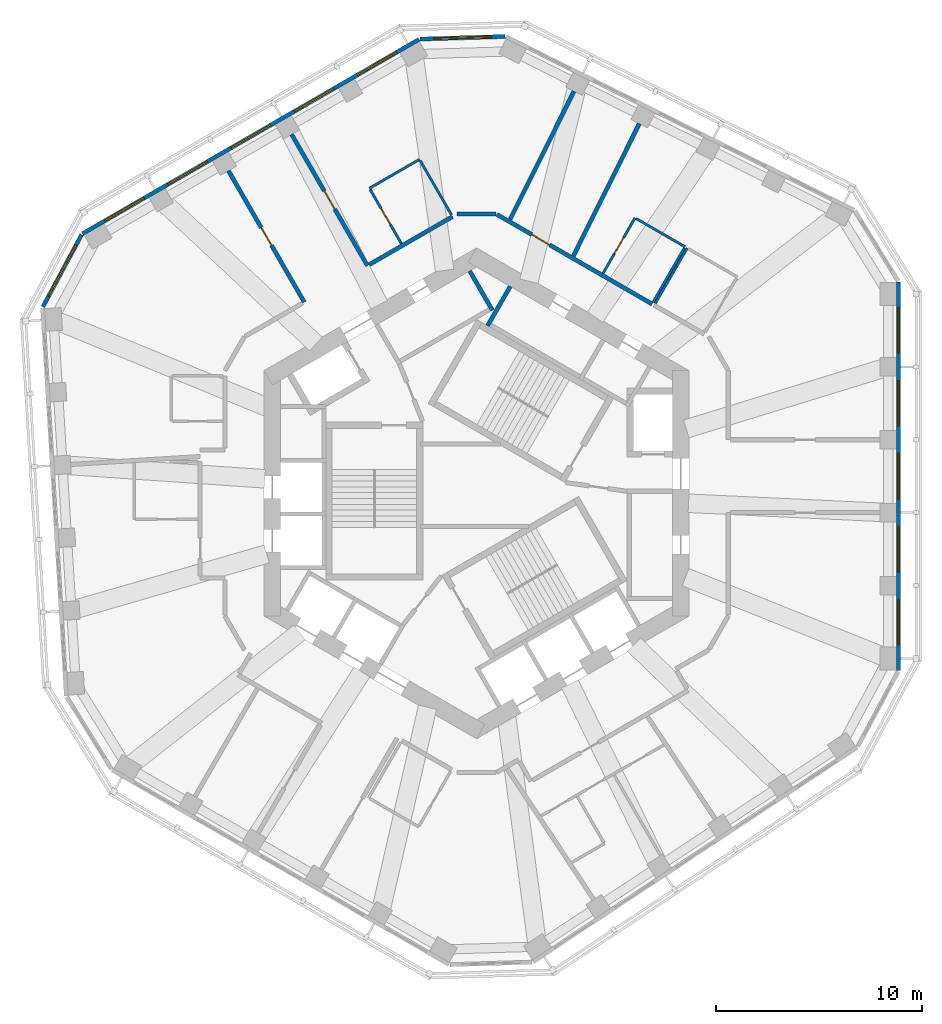
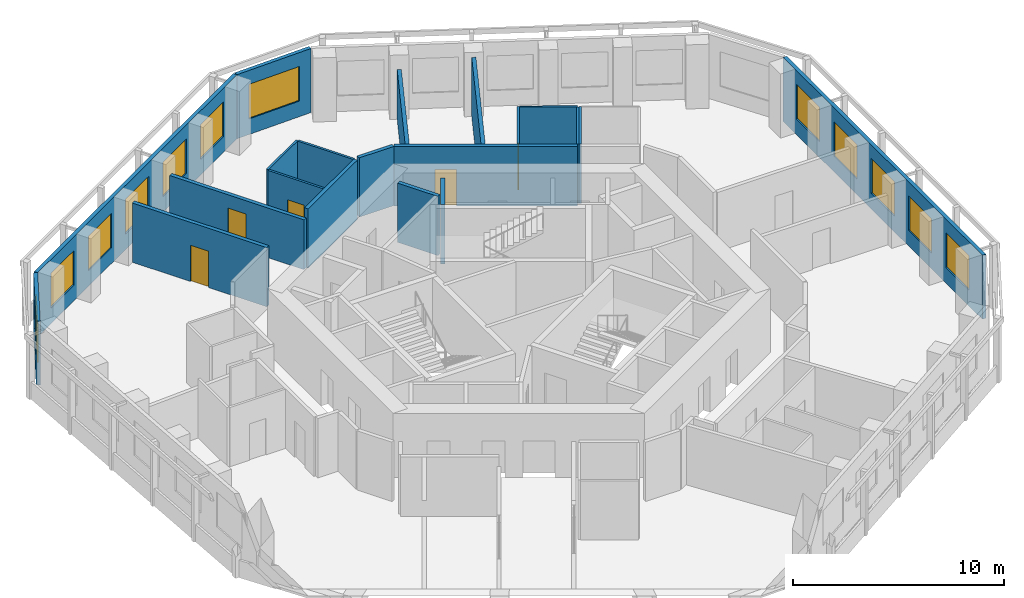
# One storey, part 7 of 11: 20 walls, 12 windows, 5 doors, 17 openings.
"""IFC4 building model written with IfcOpenShell, lengths in metres."""

from ifc_helpers import new_model, si_unit, direction, frame, frame_2d, origin, place, context, subcontext, project, spatial, rectangle, extrude, material, layer, layer_set, type_object, element, fill, save


model = new_model("IFC4")

# Units and contexts
model_context = context("Model", 3, precision=1e-05, world=origin(), true_north=direction((0.0, 1.0)))
body_context = subcontext(model_context, "Body", "Model", "MODEL_VIEW")
ifc_project = project(units=[si_unit("LENGTHUNIT", "METRE"), si_unit("AREAUNIT", "SQUARE_METRE"), si_unit("VOLUMEUNIT", "CUBIC_METRE"), si_unit("PLANEANGLEUNIT", "RADIAN"), si_unit("MASSUNIT", "GRAM", prefix="KILO")], contexts=[model_context])

# Site, building, storey
site_placement = place(None, origin())
site = spatial("IfcSite", under=ifc_project, at=site_placement, CompositionType="ELEMENT")
building_placement = place(site_placement, origin())
building = spatial("IfcBuilding", under=site, at=building_placement, Name="Vanh Sen Convention Tower", CompositionType="ELEMENT")
storey_placement = place(building_placement, frame((0.0, 0.0, 232.800048828125)))
storey = spatial("IfcBuildingStorey", under=building, at=storey_placement, Name="L57", CompositionType="ELEMENT", Elevation=232.800048828125)

# Wall
ifc_material_1 = material(Name="Moisture-resistant gypsum board on steel studs", Category="steel")
ifc_layer_1 = layer(ifc_material_1, 0.1201171875)
ifc_layer_set_1 = layer_set([ifc_layer_1], Name="Moisture-resistant gypsum board on steel studs")
wall_type_1 = type_object("IfcWallType", Name="Bathroom partition 120", PredefinedType="PARTITIONING", material=ifc_layer_set_1)
wall_1_placement = place(storey_placement, frame((-5.19140625, 14.78515625, 0.0), z_axis=(0.0, 0.0, 1.0), x_axis=(0.866034573852, 0.49998411664, 0.0)))
element("IfcWall", 1, at=wall_1_placement, inside=storey, type_object=wall_type_1, Name="Bathroom partition 120", PredefinedType="PARTITIONING", context=body_context, shape_type="SweptSolid", body=[
    extrude(rectangle(XDim=2.7998046875, YDim=0.1201171875, at=frame_2d((1.39990234375, 0.0))), origin(), (0.0, 0.0, 1.0), 3.419921875),
])

# Wall, opening, door
wall_2_placement = place(storey_placement, frame((-3.641357421875, 12.1005859375, 0.0), z_axis=(0.0, 0.0, 1.0), x_axis=(-0.500026023896, 0.86601037836, 0.0)))
wall_2 = element("IfcWall", 2, at=wall_2_placement, inside=storey, type_object=wall_type_1, Name="Bathroom partition 120", PredefinedType="PARTITIONING", context=body_context, shape_type="SweptSolid", body=[
    extrude(rectangle(XDim=3.039794921875, YDim=0.1201171875, at=frame_2d((1.52001953125, 0.0))), origin(), (0.0, 0.0, 1.0), 3.419921875),
])
opening_1_placement = place(wall_2_placement, frame((1.06982421875, 0.0, 0.0)))
opening_1 = element("IfcOpeningElement", 3, at=opening_1_placement, cuts=wall_2, Name="Opening D56106", PredefinedType="OPENING", context=body_context, shape_type="SweptSolid", body=[
    extrude(rectangle(XDim=0.89990234375, YDim=2.10009765625, at=frame_2d((0.449951171875, 1.050048828125))), frame((0.0, 0.070068359375, 0.0), z_axis=(0.0, -1.0, 0.0), x_axis=(1.0, 0.0, 0.0)), (0.0, 0.0, 1.0), 0.14013671875),
])
ifc_material_2 = material(Name="Laminate door in steel frame", Category="steel")
door_type_1 = type_object("IfcDoorType", Name="Room internal door 900", OperationType="SINGLE_SWING_LEFT", PredefinedType="DOOR", material=ifc_material_2)
door_1_placement = place(opening_1_placement, origin())
door_1 = element("IfcDoor", 4, at=door_1_placement, inside=storey, type_object=door_type_1, Name="Internal room door D56106", OperationType="SINGLE_SWING_LEFT", OverallHeight=2.10009765625, OverallWidth=0.89990234375, PredefinedType="DOOR", context=body_context, shape_type="SweptSolid", body=[
    extrude(rectangle(XDim=0.89990234375, YDim=2.10009765625, at=frame_2d((0.449951171875, 1.050048828125))), frame((0.0, 0.02490234375, 0.0), z_axis=(0.0, -1.0, 0.0), x_axis=(1.0, 0.0, 0.0)), (0.0, 0.0, 1.0), 0.050048828125),
])
fill(opening_1, door_1)

# Wall
wall_3_placement = place(storey_placement, frame((-2.736572265625, 16.133056640625, 0.0), z_axis=(0.0, 0.0, 1.0), x_axis=(0.500026023896, -0.86601037836, 0.0)))
element("IfcWall", 5, at=wall_3_placement, inside=storey, type_object=wall_type_1, Name="Bathroom partition 120", PredefinedType="PARTITIONING", context=body_context, shape_type="SweptSolid", body=[
    extrude(rectangle(XDim=3.039794921875, YDim=0.1201171875, at=frame_2d((1.52001953125, 0.0))), origin(), (0.0, 0.0, 1.0), 3.419921875),
])

# Wall, opening, door
wall_4_placement = place(storey_placement, frame((6.1298828125, 10.663818359375, 0.0), z_axis=(0.0, 0.0, 1.0), x_axis=(0.499967891604, 0.866043940782, 0.0)))
wall_4 = element("IfcWall", 6, at=wall_4_placement, inside=storey, type_object=wall_type_1, Name="Bathroom partition 120", PredefinedType="PARTITIONING", context=body_context, shape_type="SweptSolid", body=[
    extrude(rectangle(XDim=3.099853515625, YDim=0.1201171875, at=frame_2d((1.5498046875, 0.0))), origin(), (0.0, 0.0, 1.0), 3.419921875),
])
opening_2_placement = place(wall_4_placement, frame((1.10009765625, 0.0, 0.0)))
opening_2 = element("IfcOpeningElement", 7, at=opening_2_placement, cuts=wall_4, Name="Opening D56103", PredefinedType="OPENING", context=body_context, shape_type="SweptSolid", body=[
    extrude(rectangle(XDim=0.89990234375, YDim=2.10009765625, at=frame_2d((0.449951171875, 1.050048828125))), frame((0.0, 0.070068359375, 0.0), z_axis=(0.0, -1.0, 0.0), x_axis=(1.0, 0.0, 0.0)), (0.0, 0.0, 1.0), 0.14013671875),
])
door_2_placement = place(opening_2_placement, origin())
door_2 = element("IfcDoor", 8, at=door_2_placement, inside=storey, type_object=door_type_1, Name="Internal room door D56103", OperationType="SINGLE_SWING_LEFT", OverallHeight=2.10009765625, OverallWidth=0.89990234375, PredefinedType="DOOR", context=body_context, shape_type="SweptSolid", body=[
    extrude(rectangle(XDim=0.89990234375, YDim=2.10009765625, at=frame_2d((0.449951171875, 1.050048828125))), frame((0.0, 0.02490234375, 0.0), z_axis=(0.0, -1.0, 0.0), x_axis=(1.0, 0.0, 0.0)), (0.0, 0.0, 1.0), 0.050048828125),
])
fill(opening_2, door_2)

# Walls
wall_5_placement = place(storey_placement, frame((7.731689453125, 13.318359375, 0.0), z_axis=(0.0, 0.0, 1.0), x_axis=(0.866057988685, -0.499943557049, 0.0)))
element("IfcWall", 9, at=wall_5_placement, inside=storey, type_object=wall_type_1, Name="Bathroom partition 120", PredefinedType="PARTITIONING", context=body_context, shape_type="SweptSolid", body=[
    extrude(rectangle(XDim=2.739990234375, YDim=0.1201171875, at=frame_2d((1.3701171875, 0.0))), origin(), (0.0, 0.0, 1.0), 3.419921875),
])
wall_6_placement = place(storey_placement, frame((8.65869140625, 9.20361328125, 0.0), z_axis=(0.0, 0.0, 1.0), x_axis=(0.499933790963, 0.866063626216, 0.0)))
element("IfcWall", 10, at=wall_6_placement, inside=storey, type_object=wall_type_1, Name="Bathroom partition 120", PredefinedType="PARTITIONING", context=body_context, shape_type="SweptSolid", body=[
    extrude(rectangle(XDim=3.10009765625, YDim=0.1201171875, at=frame_2d((1.550048828125, 0.0))), origin(), (0.0, 0.0, 1.0), 3.419921875),
])
wall_7_placement = place(storey_placement, frame((10.07470703125, 11.896484375, 0.0), z_axis=(0.0, 0.0, 1.0), x_axis=(-0.499991248344, -0.866030456496, 0.0)))
element("IfcWall", 11, at=wall_7_placement, inside=storey, type_object=wall_type_1, Name="Bathroom partition 120", PredefinedType="PARTITIONING", context=body_context, shape_type="SweptSolid", body=[
    extrude(rectangle(XDim=3.0400390625, YDim=0.1201171875, at=frame_2d((1.52001953125, 0.0))), origin(), (0.0, 0.0, 1.0), 3.419921875),
])

# Wall, opening, door
ifc_material_3 = material(Name="Gypsum board on steel studs with mineral wool", Category="steel")
ifc_layer_2 = layer(ifc_material_3, 0.199951171875)
ifc_layer_set_2 = layer_set([ifc_layer_2], Name="Gypsum board on steel studs with mineral wool")
wall_type_2 = type_object("IfcWallType", Name="Corridor partition wall 200", PredefinedType="PARTITIONING", material=ifc_layer_set_2)
wall_8_placement = place(storey_placement, frame((-12.02490234375, 15.6318359375, 0.0), z_axis=(0.0, 0.0, 1.0), x_axis=(0.499983153418, -0.866035129944, 0.0)))
wall_8 = element("IfcWall", 12, at=wall_8_placement, inside=storey, type_object=wall_type_2, Name="Corridor partition wall 200", PredefinedType="PARTITIONING", context=body_context, shape_type="SweptSolid", body=[
    extrude(rectangle(XDim=7.349853515625, YDim=0.199951171875, at=frame_2d((3.6748046875, 0.0))), origin(), (0.0, 0.0, 1.0), 3.419921875),
])
opening_3_placement = place(wall_8_placement, frame((3.175048828125, 0.0, 0.0)))
opening_3 = element("IfcOpeningElement", 13, at=opening_3_placement, cuts=wall_8, Name="Opening D56107", PredefinedType="OPENING", context=body_context, shape_type="SweptSolid", body=[
    extrude(rectangle(XDim=1.0, YDim=2.10009765625, at=frame_2d((0.5, 1.050048828125))), frame((0.0, 0.10986328125, 0.0), z_axis=(0.0, -1.0, 0.0), x_axis=(1.0, 0.0, 0.0)), (0.0, 0.0, 1.0), 0.219970703125),
])
ifc_material_4 = material(Name="Glazed fire door in steel frame", Category="steel")
door_type_2 = type_object("IfcDoorType", Name="Tenant entrance door 1000", OperationType="SINGLE_SWING_LEFT", PredefinedType="DOOR", material=ifc_material_4)
door_3_placement = place(opening_3_placement, origin())
door_3 = element("IfcDoor", 14, at=door_3_placement, inside=storey, type_object=door_type_2, Name="Tenant suite entrance door D56107", OperationType="SINGLE_SWING_LEFT", OverallHeight=2.10009765625, OverallWidth=1.0, PredefinedType="DOOR", context=body_context, shape_type="SweptSolid", body=[
    extrude(rectangle(XDim=1.0, YDim=2.10009765625, at=frame_2d((0.5, 1.050048828125))), frame((0.0, 0.02490234375, 0.0), z_axis=(0.0, -1.0, 0.0), x_axis=(1.0, 0.0, 0.0)), (0.0, 0.0, 1.0), 0.050048828125),
])
fill(opening_3, door_3)

wall_9_placement = place(storey_placement, frame((-8.96484375, 17.398681640625, 0.0), z_axis=(0.0, 0.0, 1.0), x_axis=(0.499993683172, -0.866029050776, 0.0)))
wall_9 = element("IfcWall", 15, at=wall_9_placement, inside=storey, type_object=wall_type_2, Name="Corridor partition wall 200", PredefinedType="PARTITIONING", context=body_context, shape_type="SweptSolid", body=[
    extrude(rectangle(XDim=7.35009765625, YDim=0.199951171875, at=frame_2d((3.675048828125, 0.0))), origin(), (0.0, 0.0, 1.0), 2.869873046875),
])
opening_4_placement = place(wall_9_placement, frame((3.175048828125, 0.0, 0.0)))
opening_4 = element("IfcOpeningElement", 16, at=opening_4_placement, cuts=wall_9, Name="Opening D56105", PredefinedType="OPENING", context=body_context, shape_type="SweptSolid", body=[
    extrude(rectangle(XDim=1.0, YDim=2.10009765625, at=frame_2d((0.5, 1.050048828125))), frame((0.0, 0.10986328125, 0.0), z_axis=(0.0, -1.0, 0.0), x_axis=(1.0, 0.0, 0.0)), (0.0, 0.0, 1.0), 0.219970703125),
])
door_4_placement = place(opening_4_placement, origin())
door_4 = element("IfcDoor", 17, at=door_4_placement, inside=storey, type_object=door_type_2, Name="Tenant suite entrance door D56105", OperationType="SINGLE_SWING_LEFT", OverallHeight=2.10009765625, OverallWidth=1.0, PredefinedType="DOOR", context=body_context, shape_type="SweptSolid", body=[
    extrude(rectangle(XDim=1.0, YDim=2.10009765625, at=frame_2d((0.5, 1.050048828125))), frame((0.0, 0.02490234375, 0.0), z_axis=(0.0, -1.0, 0.0), x_axis=(1.0, 0.0, 0.0)), (0.0, 0.0, 1.0), 0.050048828125),
])
fill(opening_4, door_4)

# Walls
wall_10_placement = place(storey_placement, frame((-1.16650390625, 13.413818359375, 0.0), z_axis=(0.0, 0.0, 1.0), x_axis=(-0.866023347809, -0.500003561037, 0.0)))
element("IfcWall", 18, at=wall_10_placement, inside=storey, type_object=wall_type_2, Name="Corridor partition wall 200", PredefinedType="PARTITIONING", context=body_context, shape_type="SweptSolid", body=[
    extrude(rectangle(XDim=4.6611328125, YDim=0.199951171875, at=frame_2d((2.33056640625, 0.0))), origin(), (0.0, 0.0, 1.0), 3.419921875),
])
wall_11_placement = place(storey_placement, frame((0.949951171875, 13.538818359375, 0.0), z_axis=(0.0, 0.0, 1.0), x_axis=(-1.0, 0.0, 0.0)))
element("IfcWall", 19, at=wall_11_placement, inside=storey, type_object=wall_type_2, Name="Corridor partition wall 200", PredefinedType="PARTITIONING", context=body_context, shape_type="SweptSolid", body=[
    extrude(rectangle(XDim=1.89990234375, YDim=0.199951171875, at=frame_2d((0.949951171875, 0.0))), origin(), (0.0, 0.0, 1.0), 3.419921875),
])

# Wall, opening, door
wall_12_placement = place(storey_placement, frame((8.504638671875, 9.177001953125, 0.0), z_axis=(0.0, 0.0, 1.0), x_axis=(-0.866019839902, 0.500009636803, 0.0)))
wall_12 = element("IfcWall", 20, at=wall_12_placement, inside=storey, type_object=wall_type_2, Name="Corridor partition wall 200", PredefinedType="PARTITIONING", context=body_context, shape_type="SweptSolid", body=[
    extrude(rectangle(XDim=8.683349609375, YDim=0.199951171875, at=frame_2d((4.341796875, 0.0))), origin(), (0.0, 0.0, 1.0), 3.419921875),
])
opening_5_placement = place(wall_12_placement, frame((5.730224609375, 0.0, 0.0)))
opening_5 = element("IfcOpeningElement", 21, at=opening_5_placement, cuts=wall_12, Name="Opening D56104", PredefinedType="OPENING", context=body_context, shape_type="SweptSolid", body=[
    extrude(rectangle(XDim=1.0, YDim=2.10009765625, at=frame_2d((0.5, 1.050048828125))), frame((0.0, 0.10986328125, 0.0), z_axis=(0.0, -1.0, 0.0), x_axis=(1.0, 0.0, 0.0)), (0.0, 0.0, 1.0), 0.219970703125),
])
door_5_placement = place(opening_5_placement, origin())
door_5 = element("IfcDoor", 22, at=door_5_placement, inside=storey, type_object=door_type_2, Name="Tenant suite entrance door D56104", OperationType="SINGLE_SWING_LEFT", OverallHeight=2.10009765625, OverallWidth=1.0, PredefinedType="DOOR", context=body_context, shape_type="SweptSolid", body=[
    extrude(rectangle(XDim=1.0, YDim=2.10009765625, at=frame_2d((0.5, 1.050048828125))), frame((0.0, 0.02490234375, 0.0), z_axis=(0.0, -1.0, 0.0), x_axis=(1.0, 0.0, 0.0)), (0.0, 0.0, 1.0), 0.050048828125),
])
fill(opening_5, door_5)

# Wall, openings, windows
ifc_material_5 = material(Name="Insulated lightweight infill wall")
ifc_layer_3 = layer(ifc_material_5, 0.199951171875)
ifc_layer_set_3 = layer_set([ifc_layer_3], Name="Insulated lightweight infill wall")
wall_type_3 = type_object("IfcWallType", Name="External wall 200", PredefinedType="STANDARD", material=ifc_layer_set_3)
wall_13_placement = place(storey_placement, frame((20.449951171875, -8.590087890625, 0.0), z_axis=(0.0, 0.0, 1.0), x_axis=(0.0, 1.0, 0.0)))
wall_13 = element("IfcWall", 23, at=wall_13_placement, inside=storey, type_object=wall_type_3, Name="External wall E L57", PredefinedType="STANDARD", context=body_context, shape_type="SweptSolid", body=[
    extrude(rectangle(XDim=18.84130859375, YDim=0.199951171875, at=frame_2d((9.420654296875, 0.0))), origin(), (0.0, 0.0, 1.0), 3.699951171875),
])
opening_6_placement = place(wall_13_placement, frame((1.254150390625, 0.0, 0.89990234375)))
opening_6 = element("IfcOpeningElement", 24, at=opening_6_placement, cuts=wall_13, Name="Opening WO3-E1", PredefinedType="OPENING", context=body_context, shape_type="SweptSolid", body=[
    extrude(rectangle(XDim=2.199951171875, YDim=2.0, at=frame_2d((1.10009765625, 1.0))), frame((0.0, 0.10986328125, 0.0), z_axis=(0.0, -1.0, 0.0), x_axis=(1.0, 0.0, 0.0)), (0.0, 0.0, 1.0), 0.219970703125),
])
opening_7_placement = place(wall_13_placement, frame((4.787841796875, 0.0, 0.89990234375)))
opening_7 = element("IfcOpeningElement", 25, at=opening_7_placement, cuts=wall_13, Name="Opening WO3-E2", PredefinedType="OPENING", context=body_context, shape_type="SweptSolid", body=[
    extrude(rectangle(XDim=2.199951171875, YDim=2.0, at=frame_2d((1.10009765625, 1.0))), frame((0.0, 0.10986328125, 0.0), z_axis=(0.0, -1.0, 0.0), x_axis=(1.0, 0.0, 0.0)), (0.0, 0.0, 1.0), 0.219970703125),
])
opening_8_placement = place(wall_13_placement, frame((8.321533203125, 0.0, 0.89990234375)))
opening_8 = element("IfcOpeningElement", 26, at=opening_8_placement, cuts=wall_13, Name="Opening WO3-E3", PredefinedType="OPENING", context=body_context, shape_type="SweptSolid", body=[
    extrude(rectangle(XDim=2.199951171875, YDim=2.0, at=frame_2d((1.10009765625, 1.0))), frame((0.0, 0.10986328125, 0.0), z_axis=(0.0, -1.0, 0.0), x_axis=(1.0, 0.0, 0.0)), (0.0, 0.0, 1.0), 0.219970703125),
])
opening_9_placement = place(wall_13_placement, frame((11.85498046875, 0.0, 0.89990234375)))
opening_9 = element("IfcOpeningElement", 27, at=opening_9_placement, cuts=wall_13, Name="Opening WO3-E4", PredefinedType="OPENING", context=body_context, shape_type="SweptSolid", body=[
    extrude(rectangle(XDim=2.199951171875, YDim=2.0, at=frame_2d((1.10009765625, 1.0))), frame((0.0, 0.10986328125, 0.0), z_axis=(0.0, -1.0, 0.0), x_axis=(1.0, 0.0, 0.0)), (0.0, 0.0, 1.0), 0.219970703125),
])
opening_10_placement = place(wall_13_placement, frame((15.388671875, 0.0, 0.89990234375)))
opening_10 = element("IfcOpeningElement", 28, at=opening_10_placement, cuts=wall_13, Name="Opening WO3-E5", PredefinedType="OPENING", context=body_context, shape_type="SweptSolid", body=[
    extrude(rectangle(XDim=2.199951171875, YDim=2.0, at=frame_2d((1.10009765625, 1.0))), frame((0.0, 0.10986328125, 0.0), z_axis=(0.0, -1.0, 0.0), x_axis=(1.0, 0.0, 0.0)), (0.0, 0.0, 1.0), 0.219970703125),
])
ifc_material_6 = material(Name="Aluminium frame with clear low-emissivity glass", Category="aluminium")
window_type_1 = type_object("IfcWindowType", Name="Office window 2200 x 2000", PartitioningType="SINGLE_PANEL", PredefinedType="WINDOW", material=ifc_material_6)
window_1_placement = place(opening_6_placement, origin())
window_1 = element("IfcWindow", 29, at=window_1_placement, inside=storey, type_object=window_type_1, Name="Window WO3-E1", OverallHeight=2.0, OverallWidth=2.199951171875, PartitioningType="SINGLE_PANEL", PredefinedType="WINDOW", context=body_context, shape_type="SweptSolid", body=[
    extrude(rectangle(XDim=2.199951171875, YDim=2.0, at=frame_2d((1.10009765625, 1.0))), frame((0.0, 0.030029296875, 0.0), z_axis=(0.0, -1.0, 0.0), x_axis=(1.0, 0.0, 0.0)), (0.0, 0.0, 1.0), 0.06005859375),
])
fill(opening_6, window_1)
window_2_placement = place(opening_7_placement, origin())
window_2 = element("IfcWindow", 30, at=window_2_placement, inside=storey, type_object=window_type_1, Name="Window WO3-E2", OverallHeight=2.0, OverallWidth=2.199951171875, PartitioningType="SINGLE_PANEL", PredefinedType="WINDOW", context=body_context, shape_type="SweptSolid", body=[
    extrude(rectangle(XDim=2.199951171875, YDim=2.0, at=frame_2d((1.10009765625, 1.0))), frame((0.0, 0.030029296875, 0.0), z_axis=(0.0, -1.0, 0.0), x_axis=(1.0, 0.0, 0.0)), (0.0, 0.0, 1.0), 0.06005859375),
])
fill(opening_7, window_2)
window_3_placement = place(opening_8_placement, origin())
window_3 = element("IfcWindow", 31, at=window_3_placement, inside=storey, type_object=window_type_1, Name="Window WO3-E3", OverallHeight=2.0, OverallWidth=2.199951171875, PartitioningType="SINGLE_PANEL", PredefinedType="WINDOW", context=body_context, shape_type="SweptSolid", body=[
    extrude(rectangle(XDim=2.199951171875, YDim=2.0, at=frame_2d((1.10009765625, 1.0))), frame((0.0, 0.030029296875, 0.0), z_axis=(0.0, -1.0, 0.0), x_axis=(1.0, 0.0, 0.0)), (0.0, 0.0, 1.0), 0.06005859375),
])
fill(opening_8, window_3)
window_4_placement = place(opening_9_placement, origin())
window_4 = element("IfcWindow", 32, at=window_4_placement, inside=storey, type_object=window_type_1, Name="Window WO3-E4", OverallHeight=2.0, OverallWidth=2.199951171875, PartitioningType="SINGLE_PANEL", PredefinedType="WINDOW", context=body_context, shape_type="SweptSolid", body=[
    extrude(rectangle(XDim=2.199951171875, YDim=2.0, at=frame_2d((1.10009765625, 1.0))), frame((0.0, 0.030029296875, 0.0), z_axis=(0.0, -1.0, 0.0), x_axis=(1.0, 0.0, 0.0)), (0.0, 0.0, 1.0), 0.06005859375),
])
fill(opening_9, window_4)
window_5_placement = place(opening_10_placement, origin())
window_5 = element("IfcWindow", 33, at=window_5_placement, inside=storey, type_object=window_type_1, Name="Window WO3-E5", OverallHeight=2.0, OverallWidth=2.199951171875, PartitioningType="SINGLE_PANEL", PredefinedType="WINDOW", context=body_context, shape_type="SweptSolid", body=[
    extrude(rectangle(XDim=2.199951171875, YDim=2.0, at=frame_2d((1.10009765625, 1.0))), frame((0.0, 0.030029296875, 0.0), z_axis=(0.0, -1.0, 0.0), x_axis=(1.0, 0.0, 0.0)), (0.0, 0.0, 1.0), 0.06005859375),
])
fill(opening_10, window_5)

# Wall, opening, window
wall_14_placement = place(storey_placement, frame((1.389404296875, 22.144775390625, 0.0), z_axis=(0.0, 0.0, 1.0), x_axis=(-0.999534702881, -0.030502093955, 0.0)))
wall_14 = element("IfcWall", 34, at=wall_14_placement, inside=storey, type_object=wall_type_3, Name="External wall CH2 L57", PredefinedType="STANDARD", context=body_context, shape_type="SweptSolid", body=[
    extrude(rectangle(XDim=4.130126953125, YDim=0.199951171875, at=frame_2d((2.06494140625, 0.0))), origin(), (0.0, 0.0, 1.0), 3.699951171875),
])
opening_11_placement = place(wall_14_placement, frame((0.6650390625, 0.0, 0.89990234375)))
opening_11 = element("IfcOpeningElement", 35, at=opening_11_placement, cuts=wall_14, Name="Opening WO4-CH21", PredefinedType="OPENING", context=body_context, shape_type="SweptSolid", body=[
    extrude(rectangle(XDim=2.800048828125, YDim=2.0, at=frame_2d((1.39990234375, 1.0))), frame((0.0, 0.10986328125, 0.0), z_axis=(0.0, -1.0, 0.0), x_axis=(1.0, 0.0, 0.0)), (0.0, 0.0, 1.0), 0.219970703125),
])
window_type_2 = type_object("IfcWindowType", Name="Office window 2800 x 2000", PartitioningType="SINGLE_PANEL", PredefinedType="WINDOW", material=ifc_material_6)
window_6_placement = place(opening_11_placement, origin())
window_6 = element("IfcWindow", 36, at=window_6_placement, inside=storey, type_object=window_type_2, Name="Window WO4-CH21", OverallHeight=2.0, OverallWidth=2.800048828125, PartitioningType="SINGLE_PANEL", PredefinedType="WINDOW", context=body_context, shape_type="SweptSolid", body=[
    extrude(rectangle(XDim=2.800048828125, YDim=2.0, at=frame_2d((1.39990234375, 1.0))), frame((0.0, 0.030029296875, 0.0), z_axis=(0.0, -1.0, 0.0), x_axis=(1.0, 0.0, 0.0)), (0.0, 0.0, 1.0), 0.06005859375),
])
fill(opening_11, window_6)

# Wall, openings, windows
wall_15_placement = place(storey_placement, frame((-2.78564453125, 22.00537109375, 0.0), z_axis=(0.0, 0.0, 1.0), x_axis=(-0.866026555358, -0.49999800541, 0.0)))
wall_15 = element("IfcWall", 37, at=wall_15_placement, inside=storey, type_object=wall_type_3, Name="External wall NW L57", PredefinedType="STANDARD", context=body_context, shape_type="SweptSolid", body=[
    extrude(rectangle(XDim=18.84130859375, YDim=0.199951171875, at=frame_2d((9.420654296875, 0.0))), origin(), (0.0, 0.0, 1.0), 3.699951171875),
])
opening_12_placement = place(wall_15_placement, frame((1.254150390625, 0.0, 0.89990234375)))
opening_12 = element("IfcOpeningElement", 38, at=opening_12_placement, cuts=wall_15, Name="Opening WO3-NW1", PredefinedType="OPENING", context=body_context, shape_type="SweptSolid", body=[
    extrude(rectangle(XDim=2.199951171875, YDim=2.0, at=frame_2d((1.10009765625, 1.0))), frame((0.0, 0.10986328125, 0.0), z_axis=(0.0, -1.0, 0.0), x_axis=(1.0, 0.0, 0.0)), (0.0, 0.0, 1.0), 0.219970703125),
])
opening_13_placement = place(wall_15_placement, frame((4.787841796875, 0.0, 0.89990234375)))
opening_13 = element("IfcOpeningElement", 39, at=opening_13_placement, cuts=wall_15, Name="Opening WO3-NW2", PredefinedType="OPENING", context=body_context, shape_type="SweptSolid", body=[
    extrude(rectangle(XDim=2.199951171875, YDim=2.0, at=frame_2d((1.10009765625, 1.0))), frame((0.0, 0.10986328125, 0.0), z_axis=(0.0, -1.0, 0.0), x_axis=(1.0, 0.0, 0.0)), (0.0, 0.0, 1.0), 0.219970703125),
])
opening_14_placement = place(wall_15_placement, frame((8.3212890625, 0.0, 0.89990234375)))
opening_14 = element("IfcOpeningElement", 40, at=opening_14_placement, cuts=wall_15, Name="Opening WO3-NW3", PredefinedType="OPENING", context=body_context, shape_type="SweptSolid", body=[
    extrude(rectangle(XDim=2.199951171875, YDim=2.0, at=frame_2d((1.10009765625, 1.0))), frame((0.0, 0.10986328125, 0.0), z_axis=(0.0, -1.0, 0.0), x_axis=(1.0, 0.0, 0.0)), (0.0, 0.0, 1.0), 0.219970703125),
])
opening_15_placement = place(wall_15_placement, frame((11.85498046875, 0.0, 0.89990234375)))
opening_15 = element("IfcOpeningElement", 41, at=opening_15_placement, cuts=wall_15, Name="Opening WO3-NW4", PredefinedType="OPENING", context=body_context, shape_type="SweptSolid", body=[
    extrude(rectangle(XDim=2.199951171875, YDim=2.0, at=frame_2d((1.10009765625, 1.0))), frame((0.0, 0.10986328125, 0.0), z_axis=(0.0, -1.0, 0.0), x_axis=(1.0, 0.0, 0.0)), (0.0, 0.0, 1.0), 0.219970703125),
])
opening_16_placement = place(wall_15_placement, frame((15.388671875, 0.0, 0.89990234375)))
opening_16 = element("IfcOpeningElement", 42, at=opening_16_placement, cuts=wall_15, Name="Opening WO3-NW5", PredefinedType="OPENING", context=body_context, shape_type="SweptSolid", body=[
    extrude(rectangle(XDim=2.199951171875, YDim=2.0, at=frame_2d((1.10009765625, 1.0))), frame((0.0, 0.10986328125, 0.0), z_axis=(0.0, -1.0, 0.0), x_axis=(1.0, 0.0, 0.0)), (0.0, 0.0, 1.0), 0.219970703125),
])
window_7_placement = place(opening_12_placement, origin())
window_7 = element("IfcWindow", 43, at=window_7_placement, inside=storey, type_object=window_type_1, Name="Window WO3-NW1", OverallHeight=2.0, OverallWidth=2.199951171875, PartitioningType="SINGLE_PANEL", PredefinedType="WINDOW", context=body_context, shape_type="SweptSolid", body=[
    extrude(rectangle(XDim=2.199951171875, YDim=2.0, at=frame_2d((1.10009765625, 1.0))), frame((0.0, 0.030029296875, 0.0), z_axis=(0.0, -1.0, 0.0), x_axis=(1.0, 0.0, 0.0)), (0.0, 0.0, 1.0), 0.06005859375),
])
fill(opening_12, window_7)
window_8_placement = place(opening_13_placement, origin())
window_8 = element("IfcWindow", 44, at=window_8_placement, inside=storey, type_object=window_type_1, Name="Window WO3-NW2", OverallHeight=2.0, OverallWidth=2.199951171875, PartitioningType="SINGLE_PANEL", PredefinedType="WINDOW", context=body_context, shape_type="SweptSolid", body=[
    extrude(rectangle(XDim=2.199951171875, YDim=2.0, at=frame_2d((1.10009765625, 1.0))), frame((0.0, 0.030029296875, 0.0), z_axis=(0.0, -1.0, 0.0), x_axis=(1.0, 0.0, 0.0)), (0.0, 0.0, 1.0), 0.06005859375),
])
fill(opening_13, window_8)
window_9_placement = place(opening_14_placement, origin())
window_9 = element("IfcWindow", 45, at=window_9_placement, inside=storey, type_object=window_type_1, Name="Window WO3-NW3", OverallHeight=2.0, OverallWidth=2.199951171875, PartitioningType="SINGLE_PANEL", PredefinedType="WINDOW", context=body_context, shape_type="SweptSolid", body=[
    extrude(rectangle(XDim=2.199951171875, YDim=2.0, at=frame_2d((1.10009765625, 1.0))), frame((0.0, 0.030029296875, 0.0), z_axis=(0.0, -1.0, 0.0), x_axis=(1.0, 0.0, 0.0)), (0.0, 0.0, 1.0), 0.06005859375),
])
fill(opening_14, window_9)
window_10_placement = place(opening_15_placement, origin())
window_10 = element("IfcWindow", 46, at=window_10_placement, inside=storey, type_object=window_type_1, Name="Window WO3-NW4", OverallHeight=2.0, OverallWidth=2.199951171875, PartitioningType="SINGLE_PANEL", PredefinedType="WINDOW", context=body_context, shape_type="SweptSolid", body=[
    extrude(rectangle(XDim=2.199951171875, YDim=2.0, at=frame_2d((1.10009765625, 1.0))), frame((0.0, 0.030029296875, 0.0), z_axis=(0.0, -1.0, 0.0), x_axis=(1.0, 0.0, 0.0)), (0.0, 0.0, 1.0), 0.06005859375),
])
fill(opening_15, window_10)
window_11_placement = place(opening_16_placement, origin())
window_11 = element("IfcWindow", 47, at=window_11_placement, inside=storey, type_object=window_type_1, Name="Window WO3-NW5", OverallHeight=2.0, OverallWidth=2.199951171875, PartitioningType="SINGLE_PANEL", PredefinedType="WINDOW", context=body_context, shape_type="SweptSolid", body=[
    extrude(rectangle(XDim=2.199951171875, YDim=2.0, at=frame_2d((1.10009765625, 1.0))), frame((0.0, 0.030029296875, 0.0), z_axis=(0.0, -1.0, 0.0), x_axis=(1.0, 0.0, 0.0)), (0.0, 0.0, 1.0), 0.06005859375),
])
fill(opening_16, window_11)

# Wall, opening, window
wall_16_placement = place(storey_placement, frame((-19.140869140625, 12.54541015625, 0.0), z_axis=(0.0, 0.0, 1.0), x_axis=(-0.473306370921, -0.880897882416, 0.0)))
wall_16 = element("IfcWall", 48, at=wall_16_placement, inside=storey, type_object=wall_type_3, Name="External wall CH3 L57", PredefinedType="STANDARD", context=body_context, shape_type="SweptSolid", body=[
    extrude(rectangle(XDim=3.982666015625, YDim=0.199951171875, at=frame_2d((1.9912109375, 0.0))), origin(), (0.0, 0.0, 1.0), 3.699951171875),
])
opening_17_placement = place(wall_16_placement, frame((0.59130859375, 0.0, 0.89990234375)))
opening_17 = element("IfcOpeningElement", 49, at=opening_17_placement, cuts=wall_16, Name="Opening WO4-CH31", PredefinedType="OPENING", context=body_context, shape_type="SweptSolid", body=[
    extrude(rectangle(XDim=2.800048828125, YDim=2.0, at=frame_2d((1.39990234375, 1.0))), frame((0.0, 0.10986328125, 0.0), z_axis=(0.0, -1.0, 0.0), x_axis=(1.0, 0.0, 0.0)), (0.0, 0.0, 1.0), 0.219970703125),
])
window_12_placement = place(opening_17_placement, origin())
window_12 = element("IfcWindow", 50, at=window_12_placement, inside=storey, type_object=window_type_2, Name="Window WO4-CH31", OverallHeight=2.0, OverallWidth=2.800048828125, PartitioningType="SINGLE_PANEL", PredefinedType="WINDOW", context=body_context, shape_type="SweptSolid", body=[
    extrude(rectangle(XDim=2.800048828125, YDim=2.0, at=frame_2d((1.39990234375, 1.0))), frame((0.0, 0.030029296875, 0.0), z_axis=(0.0, -1.0, 0.0), x_axis=(1.0, 0.0, 0.0)), (0.0, 0.0, 1.0), 0.06005859375),
])
fill(opening_17, window_12)

# Walls
ifc_material_7 = material(Name="Concrete C40/50", Category="concrete")
ifc_layer_4 = layer(ifc_material_7, 0.199951171875)
ifc_layer_set_4 = layer_set([ifc_layer_4], Name="Concrete C40/50")
wall_type_4 = type_object("IfcWallType", Name="Lift shaft wall 200", PredefinedType="PARTITIONING", material=ifc_layer_set_4)
wall_17_placement = place(storey_placement, frame((0.5322265625, 8.1220703125, 0.0), z_axis=(0.0, 0.0, 1.0), x_axis=(0.500077893725, 0.86598042715, 0.0)))
element("IfcWall", 51, at=wall_17_placement, inside=storey, type_object=wall_type_4, Name="Lift shaft wall L57", PredefinedType="PARTITIONING", context=body_context, shape_type="SweptSolid", body=[
    extrude(rectangle(XDim=2.199951171875, YDim=0.199951171875, at=frame_2d((1.10009765625, 0.0))), origin(), (0.0, 0.0, 1.0), 3.419921875),
])
wall_18_placement = place(storey_placement, frame((0.7666015625, 8.8720703125, 0.0), z_axis=(0.0, 0.0, 1.0), x_axis=(-0.499994660107, 0.866028486751, 0.0)))
element("IfcWall", 52, at=wall_18_placement, inside=storey, type_object=wall_type_4, Name="Lift shaft wall L57", PredefinedType="PARTITIONING", context=body_context, shape_type="SweptSolid", body=[
    extrude(rectangle(XDim=2.19970703125, YDim=0.199951171875, at=frame_2d((1.099853515625, 0.0))), origin(), (0.0, 0.0, 1.0), 3.419921875),
])
ifc_layer_5 = layer(ifc_material_3, 0.199951171875)
ifc_layer_set_5 = layer_set([ifc_layer_5], Name="Gypsum board on steel studs with mineral wool")
wall_type_5 = type_object("IfcWallType", Name="Tenant suite wall 200", PredefinedType="PARTITIONING", material=ifc_layer_set_5)
wall_19_placement = place(storey_placement, frame((4.723388671875, 19.489990234375, 0.0), z_axis=(0.0, 0.0, 1.0), x_axis=(-0.446186614574, -0.894939944898, 0.0)))
element("IfcWall", 53, at=wall_19_placement, inside=storey, type_object=wall_type_5, Name="Tenant suite wall 200", PredefinedType="PARTITIONING", context=body_context, shape_type="SweptSolid", body=[
    extrude(rectangle(XDim=6.943603515625, YDim=0.199951171875, at=frame_2d((3.4716796875, 0.0))), origin(), (0.0, 0.0, 1.0), 2.869873046875),
])
wall_20_placement = place(storey_placement, frame((7.885986328125, 17.913330078125, 0.0), z_axis=(0.0, 0.0, 1.0), x_axis=(-0.446204015428, -0.894931269213, 0.0)))
element("IfcWall", 54, at=wall_20_placement, inside=storey, type_object=wall_type_5, Name="Tenant suite wall 200", PredefinedType="PARTITIONING", context=body_context, shape_type="SweptSolid", body=[
    extrude(rectangle(XDim=7.159912109375, YDim=0.199951171875, at=frame_2d((3.580078125, 0.0))), origin(), (0.0, 0.0, 1.0), 3.419921875),
])

save(model, "model.ifc")
